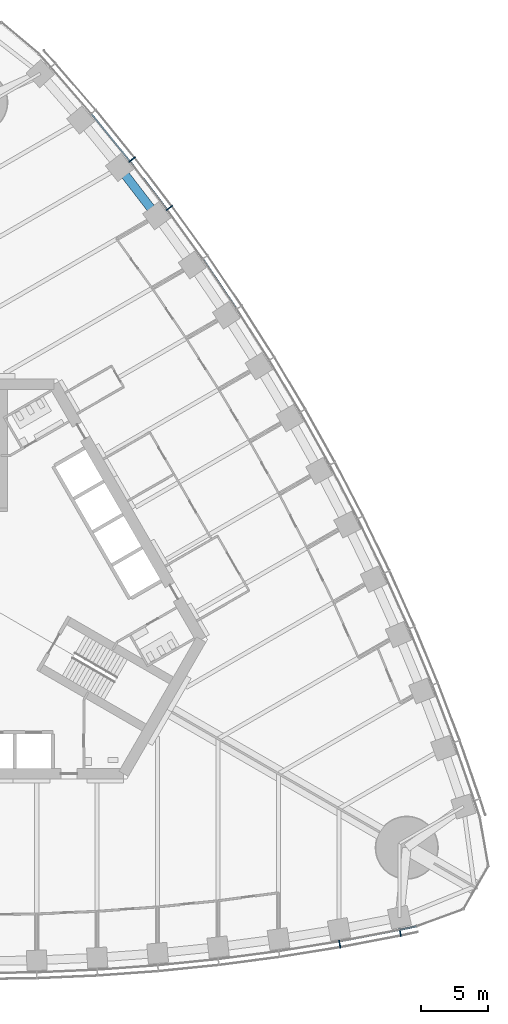
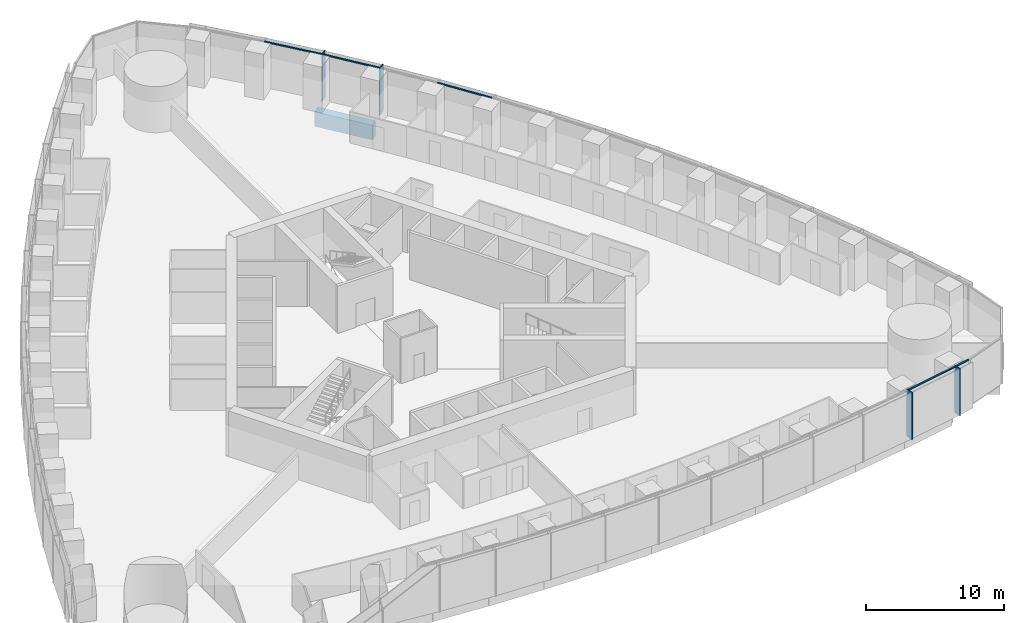
# One storey, part 5 of 19: 9 members, 1 beam, 2 elements without a shape of their own.
"""IFC4 building model written with IfcOpenShell, lengths in metres."""

from ifc_helpers import new_model, si_unit, direction, frame, origin, origin_2d, place, context, subcontext, project, spatial, rectangle, extrude, material, material_profile, profile_set, type_object, element, aggregate, save


model = new_model("IFC4")

# Units and contexts
model_context = context("Model", 3, precision=1e-05, world=origin(), true_north=direction((0.0, 1.0)))
body_context = subcontext(model_context, "Body", "Model", "MODEL_VIEW")
ifc_project = project(units=[si_unit("LENGTHUNIT", "METRE"), si_unit("AREAUNIT", "SQUARE_METRE"), si_unit("VOLUMEUNIT", "CUBIC_METRE"), si_unit("PLANEANGLEUNIT", "RADIAN"), si_unit("MASSUNIT", "GRAM", prefix="KILO")], contexts=[model_context])

# Site, building, storey
site_placement = place(None, origin())
site = spatial("IfcSite", under=ifc_project, at=site_placement, CompositionType="ELEMENT")
building_placement = place(site_placement, origin())
building = spatial("IfcBuilding", under=site, at=building_placement, Name="Trefoil Bronze Tower", CompositionType="ELEMENT")
storey_placement = place(building_placement, frame((0.0, 0.0, 16.5)))
storey = spatial("IfcBuildingStorey", under=building, at=storey_placement, Name="L03", CompositionType="ELEMENT", Elevation=16.5)

# Curtain wall, members
ifc_material_1 = material(Name="Tinted solar-control glass", Category="glass")
curtain_wall_type = type_object("IfcCurtainWallType", Name="Bronze office curtain wall", PredefinedType="USERDEFINED", material=ifc_material_1)
curtain_wall_1_placement = place(storey_placement, origin())
curtain_wall_1 = element("IfcCurtainWall", 1, at=curtain_wall_1_placement, inside=storey, type_object=curtain_wall_type, Name="CW-A L03 F1", ObjectType="CURTAIN WALL", PredefinedType="USERDEFINED")
ifc_material_2 = material(Name="Bronze-finish aluminium", Category="aluminium")
ifc_material_profile_1 = material_profile(ifc_material_2, rectangle(XDim=0.60009765625, YDim=0.080078125, at=origin_2d()), Name="CW-A mullion")
ifc_profile_set_1 = profile_set([ifc_material_profile_1], Name="Bronze-finish aluminium")
member_type_1 = type_object("IfcMemberType", Name="Bronze office curtain wall mullion", PredefinedType="MULLION", material=ifc_profile_set_1)
member_1_placement = place(storey_placement, frame((27.05224609375, -25.67578125, 0.0), z_axis=(0.0, 0.0, 1.0), x_axis=(-0.174131146426, 0.984722470468, 0.0)))
member_1 = element("IfcMember", 2, at=member_1_placement, type_object=member_type_1, Name="CW-A L03 F1 mullion 15", PredefinedType="MULLION", context=body_context, shape_type="SweptSolid", body=[
    extrude(rectangle(XDim=0.60009765625, YDim=0.080078125, at=origin_2d()), origin(), (0.0, 0.0, 1.0), 4.179931640625),
])
member_2_placement = place(storey_placement, frame((31.559326171875, -24.81005859375, 0.0), z_axis=(0.0, 0.0, 1.0), x_axis=(-0.197910006829, 0.98022019424, 0.0)))
member_2 = element("IfcMember", 3, at=member_2_placement, type_object=member_type_1, Name="CW-A L03 F1 mullion 16", PredefinedType="MULLION", context=body_context, shape_type="SweptSolid", body=[
    extrude(rectangle(XDim=0.60009765625, YDim=0.080078125, at=origin_2d()), origin(), (0.0, 0.0, 1.0), 4.179931640625),
])

curtain_wall_2_placement = place(storey_placement, origin())
curtain_wall_2 = element("IfcCurtainWall", 4, at=curtain_wall_2_placement, inside=storey, type_object=curtain_wall_type, Name="CW-A L03 F2", ObjectType="CURTAIN WALL", PredefinedType="USERDEFINED")
member_3_placement = place(storey_placement, frame((14.364013671875, 29.117919921875, 0.0), z_axis=(0.0, 0.0, 1.0), x_axis=(-0.802126748469, -0.59715381552, 0.0)))
member_3 = element("IfcMember", 5, at=member_3_placement, type_object=member_type_1, Name="CW-A L03 F2 mullion 13", PredefinedType="MULLION", context=body_context, shape_type="SweptSolid", body=[
    extrude(rectangle(XDim=0.60009765625, YDim=0.080078125, at=origin_2d()), origin(), (0.0, 0.0, 1.0), 4.179931640625),
])
member_4_placement = place(storey_placement, frame((11.595458984375, 32.7255859375, 0.0), z_axis=(0.0, 0.0, 1.0), x_axis=(-0.784304615744, -0.620375910011, 0.0)))
member_4 = element("IfcMember", 6, at=member_4_placement, type_object=member_type_1, Name="CW-A L03 F2 mullion 14", PredefinedType="MULLION", context=body_context, shape_type="SweptSolid", body=[
    extrude(rectangle(XDim=0.60009765625, YDim=0.080078125, at=origin_2d()), origin(), (0.0, 0.0, 1.0), 4.179931640625),
])

# Member
ifc_material_3 = material(Name="Bronze-finish aluminium", Category="aluminium")
ifc_material_profile_2 = material_profile(ifc_material_3, rectangle(XDim=0.1201171875, YDim=0.10009765625, at=origin_2d()), Name="CW-A transom")
ifc_profile_set_2 = profile_set([ifc_material_profile_2], Name="Bronze-finish aluminium")
member_type_2 = type_object("IfcMemberType", Name="Bronze office curtain wall transom", PredefinedType="USERDEFINED", material=ifc_profile_set_2)
member_5_placement = place(storey_placement, frame((27.05810546875, -25.470947265625, 4.1298828125), z_axis=(0.982053603997, 0.188602011855, 0.0), x_axis=(-0.188602011855, 0.982053603997, 0.0)))
member_5 = element("IfcMember", 7, at=member_5_placement, type_object=member_type_2, Name="CW-A L03 F1 transom 15", ObjectType="TRANSOM", PredefinedType="USERDEFINED", context=body_context, shape_type="SweptSolid", body=[
    extrude(rectangle(XDim=0.1201171875, YDim=0.10009765625, at=origin_2d()), origin(), (0.0, 0.0, 1.0), 4.502197265625),
])

member_6_placement = place(storey_placement, frame((31.559814453125, -24.605712890625, 4.1298828125), z_axis=(0.978266371807, 0.207352129942, 0.0), x_axis=(-0.207352129942, 0.978266371807, 0.0)))
member_6 = element("IfcMember", 8, at=member_6_placement, type_object=member_type_2, Name="CW-A L03 F1 transom 16", ObjectType="TRANSOM", PredefinedType="USERDEFINED", context=body_context, shape_type="SweptSolid", body=[
    extrude(rectangle(XDim=0.1201171875, YDim=0.10009765625, at=origin_2d()), origin(), (0.0, 0.0, 1.0), 1.21044921875),
])

aggregate(curtain_wall_1, [member_1, member_2, member_5, member_6])

member_7_placement = place(storey_placement, frame((19.364990234375, 21.627197265625, 4.1298828125), z_axis=(-0.561508153923, 0.827471203775, 0.0), x_axis=(-0.827471203775, -0.561508153923, 0.0)))
member_7 = element("IfcMember", 9, at=member_7_placement, type_object=member_type_2, Name="CW-A L03 F2 transom 11", ObjectType="TRANSOM", PredefinedType="USERDEFINED", context=body_context, shape_type="SweptSolid", body=[
    extrude(rectangle(XDim=0.1201171875, YDim=0.10009765625, at=origin_2d()), origin(), (0.0, 0.0, 1.0), 4.431884765625),
])

member_8_placement = place(storey_placement, frame((14.178466796875, 29.031494140625, 4.1298828125), z_axis=(-0.608829203216, 0.793301330713, 0.0), x_axis=(-0.793301330713, -0.608829203216, 0.0)))
member_8 = element("IfcMember", 10, at=member_8_placement, type_object=member_type_2, Name="CW-A L03 F2 transom 13", ObjectType="TRANSOM", PredefinedType="USERDEFINED", context=body_context, shape_type="SweptSolid", body=[
    extrude(rectangle(XDim=0.1201171875, YDim=0.10009765625, at=origin_2d()), origin(), (0.0, 0.0, 1.0), 4.458740234375),
])

member_9_placement = place(storey_placement, frame((11.412353515625, 32.6337890625, 4.1298828125), z_axis=(-0.631835540201, 0.775102477185, 0.0), x_axis=(-0.775102477185, -0.631835540201, 0.0)))
member_9 = element("IfcMember", 11, at=member_9_placement, type_object=member_type_2, Name="CW-A L03 F2 transom 14", ObjectType="TRANSOM", PredefinedType="USERDEFINED", context=body_context, shape_type="SweptSolid", body=[
    extrude(rectangle(XDim=0.1201171875, YDim=0.10009765625, at=origin_2d()), origin(), (0.0, 0.0, 1.0), 4.478271484375),
])

aggregate(curtain_wall_2, [member_3, member_4, member_7, member_8, member_9])

# Beam
ifc_material_4 = material(Name="Concrete B80", Category="concrete")
ifc_material_profile_3 = material_profile(ifc_material_4, rectangle(XDim=0.64990234375, YDim=1.300048828125, at=origin_2d()), Name="RC 650x1300")
ifc_profile_set_3 = profile_set([ifc_material_profile_3], Name="Concrete B80")
beam_type = type_object("IfcBeamType", Name="Spandrel beam RC 650x1300", PredefinedType="SPANDREL", material=ifc_profile_set_3)
beam_placement = place(storey_placement, frame((13.42578125, 28.5361328125, -0.85009765625), z_axis=(-0.609338992146, 0.792909826305, 0.0), x_axis=(-0.792909826305, -0.609338992146, 0.0)))
element("IfcBeam", 12, at=beam_placement, inside=storey, type_object=beam_type, Name="Spandrel F2.13 L03", PredefinedType="SPANDREL", context=body_context, shape_type="SweptSolid", body=[
    extrude(rectangle(XDim=0.64990234375, YDim=1.300048828125, at=origin_2d()), origin(), (0.0, 0.0, 1.0), 4.5390625),
])

save(model, "model.ifc")
